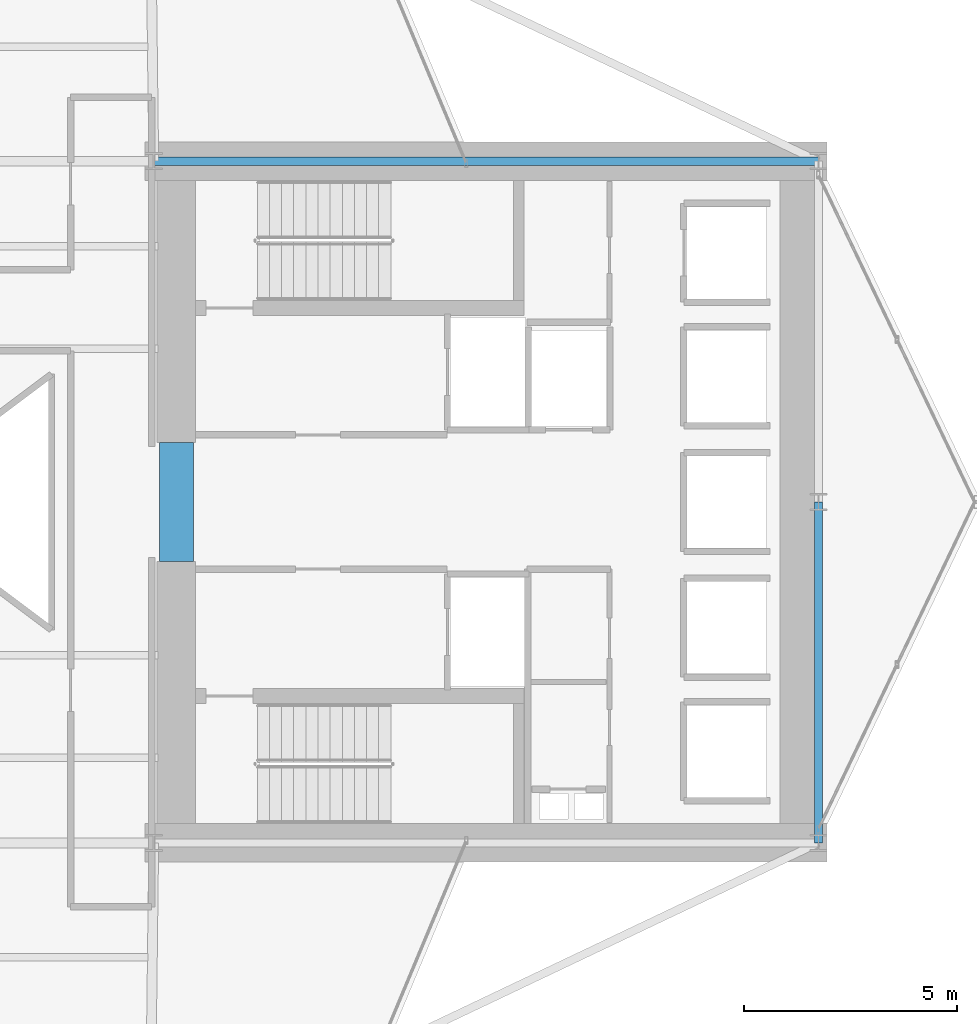
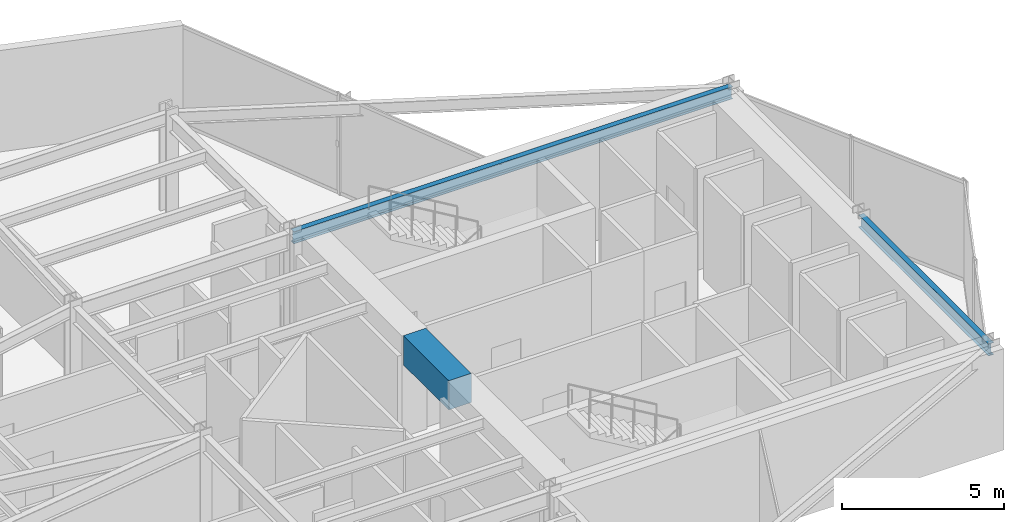
# One storey, part 13 of 25: 3 beams.
"""IFC4 building model written with IfcOpenShell, lengths in metres."""

from ifc_helpers import new_model, si_unit, direction, frame, origin, origin_2d, place, context, subcontext, project, spatial, rectangle, i_section, extrude, material, material_profile, profile_set, type_object, element, save


model = new_model("IFC4")

# Units and contexts
model_context = context("Model", 3, precision=1e-05, world=origin(), true_north=direction((0.0, 1.0)))
body_context = subcontext(model_context, "Body", "Model", "MODEL_VIEW")
ifc_project = project(units=[si_unit("LENGTHUNIT", "METRE"), si_unit("AREAUNIT", "SQUARE_METRE"), si_unit("VOLUMEUNIT", "CUBIC_METRE"), si_unit("PLANEANGLEUNIT", "RADIAN"), si_unit("MASSUNIT", "GRAM", prefix="KILO")], contexts=[model_context])

# Site, building, storey
site_placement = place(None, origin())
site = spatial("IfcSite", under=ifc_project, at=site_placement, CompositionType="ELEMENT")
building_placement = place(site_placement, origin())
building = spatial("IfcBuilding", under=site, at=building_placement, Name="Veymaron Broadcast Tower", CompositionType="ELEMENT")
storey_placement = place(building_placement, frame((0.0, 0.0, 74.25)))
storey = spatial("IfcBuildingStorey", under=building, at=storey_placement, Name="L16", CompositionType="ELEMENT", Elevation=74.25)

# Beams
ifc_material_1 = material(Name="Concrete C70/85", Category="concrete")
ifc_material_profile_1 = material_profile(ifc_material_1, rectangle(XDim=0.800048828125, YDim=1.10009765625, at=origin_2d()), Name="RC800X1100")
ifc_profile_set_1 = profile_set([ifc_material_profile_1], Name="Concrete C70/85")
beam_type_1 = type_object("IfcBeamType", Name="BM-CB1", PredefinedType="LINTEL", material=ifc_profile_set_1)
beam_1_placement = place(storey_placement, frame((39.530029296875, 22.60009765625, 3.260009765625), z_axis=(0.0, 1.0, 0.0), x_axis=(-1.0, 0.0, 0.0)))
element("IfcBeam", 1, at=beam_1_placement, inside=storey, type_object=beam_type_1, Name="L16 Core Wall west coupling beam", PredefinedType="LINTEL", context=body_context, shape_type="SweptSolid", body=[
    extrude(rectangle(XDim=0.800048828125, YDim=1.10009765625, at=origin_2d()), origin(), (0.0, 0.0, 1.0), 2.7998046875),
])
ifc_material_2 = material(Name="Structural steel ASTM A992 Gr 50", Category="steel")
ifc_material_profile_2 = material_profile(ifc_material_2, i_section(OverallWidth=0.19091796875, OverallDepth=0.4599609375, WebThickness=0.010009765625, FlangeThickness=0.01611328125, at=origin_2d()), Name="W460X82")
ifc_profile_set_2 = profile_set([ifc_material_profile_2], Name="Structural steel ASTM A992 Gr 50")
beam_type_2 = type_object("IfcBeamType", Name="BM-SP1", PredefinedType="SPANDREL", material=ifc_profile_set_2)
beam_2_placement = place(storey_placement, frame((39.0, 32.0, 3.580078125), z_axis=(1.0, 0.0, 0.0), x_axis=(0.0, 1.0, 0.0)))
element("IfcBeam", 2, at=beam_2_placement, inside=storey, type_object=beam_type_2, Name="L16 primary structural floor girder", PredefinedType="SPANDREL", context=body_context, shape_type="SweptSolid", body=[
    extrude(i_section(OverallWidth=0.19091796875, OverallDepth=0.4599609375, WebThickness=0.010009765625, FlangeThickness=0.01611328125, at=origin_2d()), origin(), (0.0, 0.0, 1.0), 15.60009765625),
])
beam_3_placement = place(storey_placement, frame((54.60009765625, 16.0, 3.580078125), z_axis=(0.0, 1.0, 0.0), x_axis=(-1.0, 0.0, 0.0)))
element("IfcBeam", 3, at=beam_3_placement, inside=storey, type_object=beam_type_2, Name="L16 primary structural floor girder", PredefinedType="SPANDREL", context=body_context, shape_type="SweptSolid", body=[
    extrude(i_section(OverallWidth=0.19091796875, OverallDepth=0.4599609375, WebThickness=0.010009765625, FlangeThickness=0.01611328125, at=origin_2d()), origin(), (0.0, 0.0, 1.0), 8.0),
])

save(model, "model.ifc")
